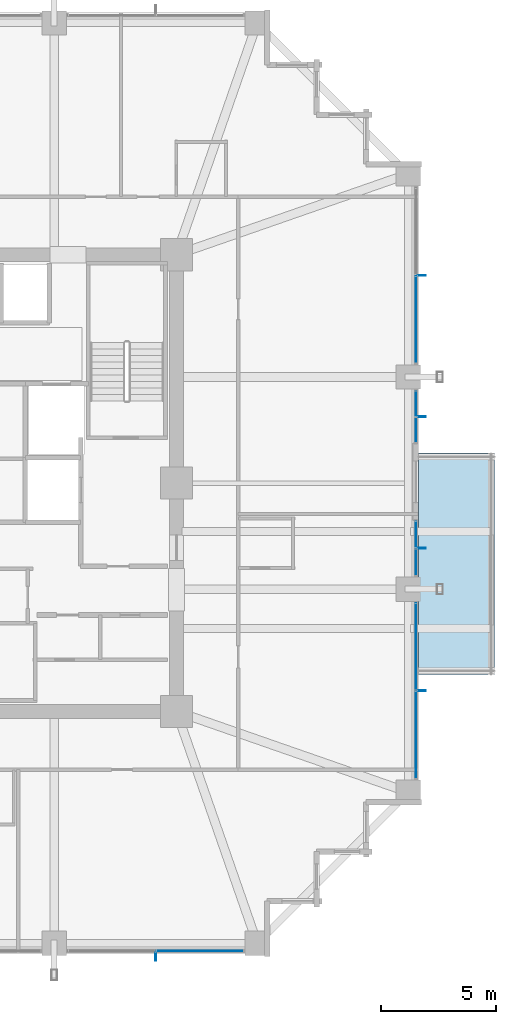
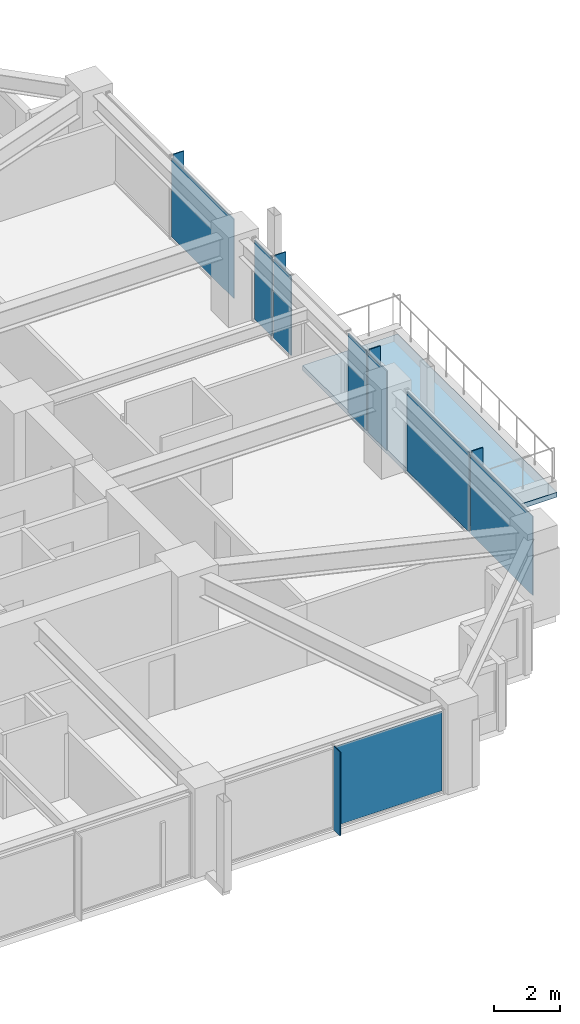
# One storey, part 28 of 37: 13 plates, 1 slab, 5 elements without a shape of their own.
"""IFC4 building model written with IfcOpenShell, lengths in metres."""

from ifc_helpers import new_model, si_unit, direction, frame, origin, origin_2d, place, context, subcontext, project, spatial, polyline, rectangle, outline, extrude, material, layer, layer_set, type_object, element, aggregate, save


model = new_model("IFC4")

# Units and contexts
model_context = context("Model", 3, precision=1e-05, world=origin(), true_north=direction((0.0, 1.0)))
body_context = subcontext(model_context, "Body", "Model", "MODEL_VIEW")
ifc_project = project(units=[si_unit("LENGTHUNIT", "METRE"), si_unit("AREAUNIT", "SQUARE_METRE"), si_unit("VOLUMEUNIT", "CUBIC_METRE"), si_unit("PLANEANGLEUNIT", "RADIAN"), si_unit("MASSUNIT", "GRAM", prefix="KILO")], contexts=[model_context])

# Site, building, storey
site_placement = place(None, origin())
site = spatial("IfcSite", under=ifc_project, at=site_placement, CompositionType="ELEMENT")
building_placement = place(site_placement, origin())
building = spatial("IfcBuilding", under=site, at=building_placement, Name="Kolvaren Belvedere", CompositionType="ELEMENT")
storey_placement = place(building_placement, frame((0.0, 0.0, 82.10009765625)))
storey = spatial("IfcBuildingStorey", under=building, at=storey_placement, Name="L23", CompositionType="ELEMENT", Elevation=82.10009765625)

# Curtain wall, plate
ifc_material_1 = material(Name="Anodised pale-metal aluminium AA 6063-T6", Category="aluminium")
curtain_wall_type = type_object("IfcCurtainWallType", Name="CW-Z2-MID", PredefinedType="NOTDEFINED", material=ifc_material_1)
curtain_wall_1_placement = place(storey_placement, origin())
curtain_wall_1 = element("IfcCurtainWall", 1, at=curtain_wall_1_placement, inside=storey, type_object=curtain_wall_type, Name="L23 Unitised Curtain Wall FCW-L23-S-B1", PredefinedType="NOTDEFINED")
ifc_material_2 = material(Name="Low-iron triple insulated glass", Category="glass")
ifc_layer_1 = layer(ifc_material_2, 0.028076171875)
ifc_layer_set_1 = layer_set([ifc_layer_1], Name="Low-iron triple insulated glass")
plate_type_1 = type_object("IfcPlateType", Name="CW-PNL-VIS28", PredefinedType="CURTAIN_PANEL", material=ifc_layer_set_1)
plate_1_placement = place(storey_placement, frame((10.9111328125, -20.280029296875, 0.079833984375), z_axis=(0.0, 0.0, 1.0), x_axis=(-1.0, 0.0, 0.0)))
plate_1 = element("IfcPlate", 2, at=plate_1_placement, type_object=plate_type_1, Name="FCW-L23-S-B1 Vision Glazing Panel 1", PredefinedType="CURTAIN_PANEL", context=body_context, shape_type="SweptSolid", body=[
    extrude(rectangle(XDim=3.742431640625, YDim=0.028076171875, at=origin_2d()), origin(), (0.0, 0.0, 1.0), 2.919921875),
])
aggregate(curtain_wall_1, [plate_1])

curtain_wall_2_placement = place(storey_placement, origin())
curtain_wall_2 = element("IfcCurtainWall", 3, at=curtain_wall_2_placement, inside=storey, type_object=curtain_wall_type, Name="L23 Unitised Curtain Wall FCW-L23-E1-B1", PredefinedType="NOTDEFINED")
plate_2_placement = place(storey_placement, frame((20.280029296875, 7.0888671875, 0.079833984375), z_axis=(0.0, 0.0, 1.0), x_axis=(0.0, -1.0, 0.0)))
plate_2 = element("IfcPlate", 4, at=plate_2_placement, type_object=plate_type_1, Name="FCW-L23-E1-B1 Vision Glazing Panel 2", PredefinedType="CURTAIN_PANEL", context=body_context, shape_type="SweptSolid", body=[
    extrude(rectangle(XDim=3.742431640625, YDim=0.028076171875, at=origin_2d()), origin(), (0.0, 0.0, 1.0), 2.919921875),
])
aggregate(curtain_wall_2, [plate_2])

# Curtain wall, plates
curtain_wall_3_placement = place(storey_placement, origin())
curtain_wall_3 = element("IfcCurtainWall", 5, at=curtain_wall_3_placement, inside=storey, type_object=curtain_wall_type, Name="L23 Unitised Curtain Wall FCW-L23-E1-B2", PredefinedType="NOTDEFINED")
plate_3_placement = place(storey_placement, frame((20.280029296875, 3.449462890625, 0.079833984375), z_axis=(0.0, 0.0, 1.0), x_axis=(0.0, -1.0, 0.0)))
plate_3 = element("IfcPlate", 6, at=plate_3_placement, type_object=plate_type_1, Name="FCW-L23-E1-B2 Vision Glazing Panel 1", PredefinedType="CURTAIN_PANEL", context=body_context, shape_type="SweptSolid", body=[
    extrude(rectangle(XDim=1.066162109375, YDim=0.028076171875, at=origin_2d()), origin(), (0.0, 0.0, 1.0), 2.919921875),
])
plate_4_placement = place(storey_placement, frame((20.280029296875, 2.302978515625, 0.079833984375), z_axis=(0.0, 0.0, 1.0), x_axis=(0.0, -1.0, 0.0)))
plate_4 = element("IfcPlate", 7, at=plate_4_placement, type_object=plate_type_1, Name="FCW-L23-E1-B2 Vision Glazing Panel 2", PredefinedType="CURTAIN_PANEL", context=body_context, shape_type="SweptSolid", body=[
    extrude(rectangle(XDim=1.066162109375, YDim=0.028076171875, at=origin_2d()), origin(), (0.0, 0.0, 1.0), 2.919921875),
])
aggregate(curtain_wall_3, [plate_3, plate_4])

curtain_wall_4_placement = place(storey_placement, origin())
curtain_wall_4 = element("IfcCurtainWall", 8, at=curtain_wall_4_placement, inside=storey, type_object=curtain_wall_type, Name="L23 Unitised Curtain Wall FCW-L23-E2-B1", PredefinedType="NOTDEFINED")
plate_5_placement = place(storey_placement, frame((20.280029296875, -2.22802734375, 0.079833984375), z_axis=(0.0, 0.0, 1.0), x_axis=(0.0, -1.0, 0.0)))
plate_5 = element("IfcPlate", 9, at=plate_5_placement, type_object=plate_type_1, Name="FCW-L23-E2-B1 Vision Glazing Panel 1", PredefinedType="CURTAIN_PANEL", context=body_context, shape_type="SweptSolid", body=[
    extrude(rectangle(XDim=1.1162109375, YDim=0.028076171875, at=origin_2d()), origin(), (0.0, 0.0, 1.0), 2.919921875),
])
plate_6_placement = place(storey_placement, frame((20.280029296875, -3.42431640625, 0.079833984375), z_axis=(0.0, 0.0, 1.0), x_axis=(0.0, -1.0, 0.0)))
plate_6 = element("IfcPlate", 10, at=plate_6_placement, type_object=plate_type_1, Name="FCW-L23-E2-B1 Vision Glazing Panel 2", PredefinedType="CURTAIN_PANEL", context=body_context, shape_type="SweptSolid", body=[
    extrude(rectangle(XDim=1.1162109375, YDim=0.028076171875, at=origin_2d()), origin(), (0.0, 0.0, 1.0), 2.919921875),
])
aggregate(curtain_wall_4, [plate_5, plate_6])

curtain_wall_5_placement = place(storey_placement, origin())
curtain_wall_5 = element("IfcCurtainWall", 11, at=curtain_wall_5_placement, inside=storey, type_object=curtain_wall_type, Name="L23 Unitised Curtain Wall FCW-L23-E2-B2", PredefinedType="NOTDEFINED")
plate_7_placement = place(storey_placement, frame((20.280029296875, -7.0888671875, 0.079833984375), z_axis=(0.0, 0.0, 1.0), x_axis=(0.0, -1.0, 0.0)))
plate_7 = element("IfcPlate", 12, at=plate_7_placement, type_object=plate_type_1, Name="FCW-L23-E2-B2 Vision Glazing Panel 1", PredefinedType="CURTAIN_PANEL", context=body_context, shape_type="SweptSolid", body=[
    extrude(rectangle(XDim=3.742431640625, YDim=0.028076171875, at=origin_2d()), origin(), (0.0, 0.0, 1.0), 2.919921875),
])
plate_8_placement = place(storey_placement, frame((20.280029296875, -10.9111328125, 0.079833984375), z_axis=(0.0, 0.0, 1.0), x_axis=(0.0, -1.0, 0.0)))
plate_8 = element("IfcPlate", 13, at=plate_8_placement, type_object=plate_type_1, Name="FCW-L23-E2-B2 Vision Glazing Panel 2", PredefinedType="CURTAIN_PANEL", context=body_context, shape_type="SweptSolid", body=[
    extrude(rectangle(XDim=3.742431640625, YDim=0.028076171875, at=origin_2d()), origin(), (0.0, 0.0, 1.0), 2.919921875),
])
aggregate(curtain_wall_5, [plate_7, plate_8])

# Plates
ifc_material_3 = material(Name="Anodised pale-metal aluminium AA 6063-T6", Category="aluminium")
ifc_layer_2 = layer(ifc_material_3, 0.033935546875)
ifc_layer_set_2 = layer_set([ifc_layer_2], Name="Anodised pale-metal aluminium AA 6063-T6")
plate_type_2 = type_object("IfcPlateType", Name="FIN-VERT-380", PredefinedType="USERDEFINED", material=ifc_layer_set_2)
for number, where, z_axis, x_axis, name in (
    (14, (9.0, -20.52490234375, -0.000244140625), (0.0, 0.0, 1.0), (0.0, 1.0, 0.0), "L23 Pale-Metal Vertical Shading Fin FCW-L23-S-B1-1"),
    (15, (20.52490234375, 9.0, -0.000244140625), (0.0, 0.0, 1.0), (1.0, 0.0, 0.0), "L23 Pale-Metal Vertical Shading Fin FCW-L23-E1-B1-1"),
    (16, (20.52490234375, 2.876220703125, -0.000244140625), (0.0, 0.0, 1.0), (1.0, 0.0, 0.0), "L23 Pale-Metal Vertical Shading Fin FCW-L23-E1-B2-1"),
    (17, (20.52490234375, -2.826171875, -0.000244140625), (0.0, 0.0, 1.0), (1.0, 0.0, 0.0), "L23 Pale-Metal Vertical Shading Fin FCW-L23-E2-B1-1"),
    (18, (20.52490234375, -9.0, -0.000244140625), (0.0, 0.0, 1.0), (1.0, 0.0, 0.0), "L23 Pale-Metal Vertical Shading Fin FCW-L23-E2-B2-1"),
):
    element("IfcPlate", number, at=place(storey_placement, frame(where, z_axis=z_axis, x_axis=x_axis)), inside=storey, type_object=plate_type_2, Name=name, ObjectType="VERTICAL FIN", PredefinedType="USERDEFINED", context=body_context, shape_type="SweptSolid", body=[
        extrude(rectangle(XDim=0.3798828125, YDim=0.033935546875, at=origin_2d()), origin(), (0.0, 0.0, 1.0), 3.080078125),
    ])

# Slab
ifc_material_4 = material(Name="Concrete C50/60", Category="concrete")
ifc_layer_3 = layer(ifc_material_4, 0.179931640625)
ifc_layer_set_3 = layer_set([ifc_layer_3], Name="Concrete C50/60")
slab_type = type_object("IfcSlabType", Name="SL-BAL-180", PredefinedType="FLOOR", material=ifc_layer_set_3)
slab_placement = place(storey_placement, frame((0.0, 0.0, -0.22021484375)))
element("IfcSlab", 19, at=slab_placement, inside=storey, type_object=slab_type, Name="L23 Planted Sky Terrace SPIRAL-03-E", PredefinedType="FLOOR", context=body_context, shape_type="SweptSolid", body=[
    extrude(outline(polyline([(20.39990234375, -8.300048828125), (23.699951171875, -8.300048828125), (23.699951171875, 1.300048828125), (20.39990234375, 1.300048828125), (20.39990234375, -8.300048828125)])), origin(), (0.0, 0.0, 1.0), 0.18017578125),
])

save(model, "model.ifc")
